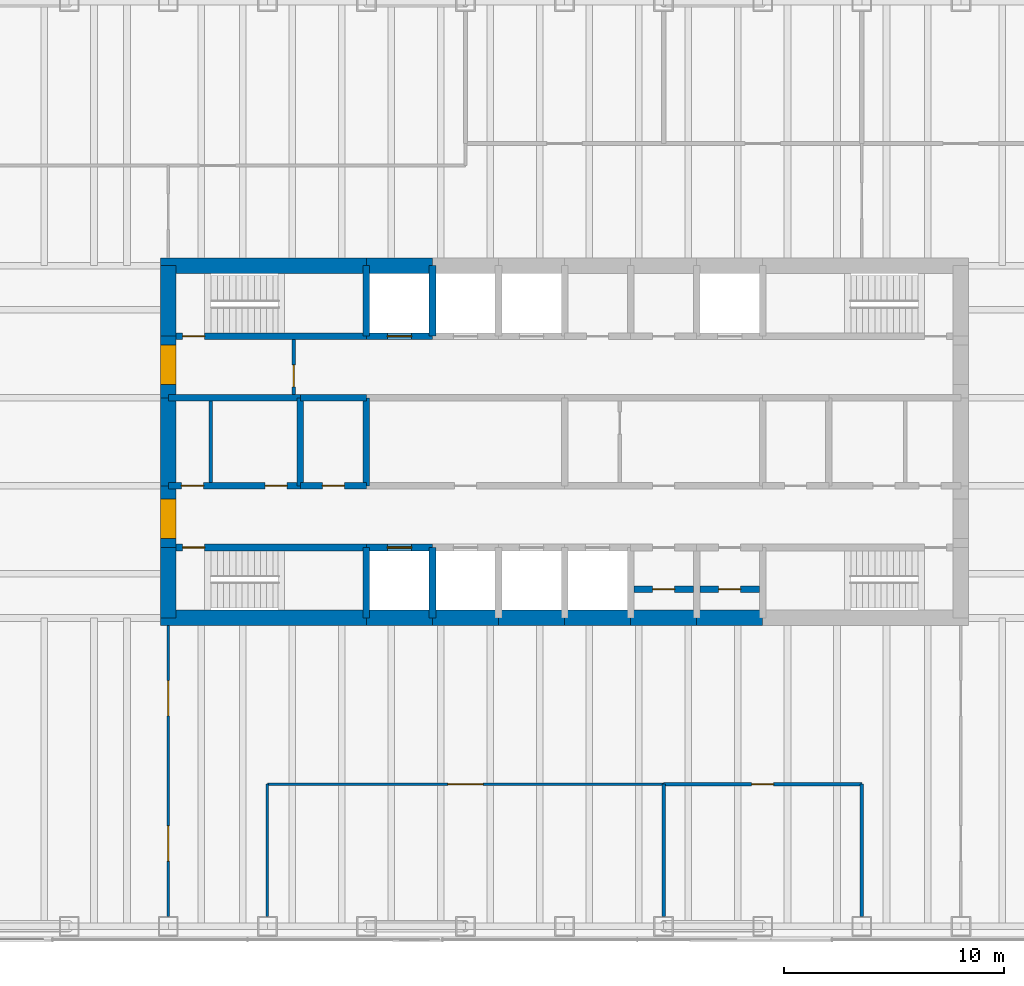
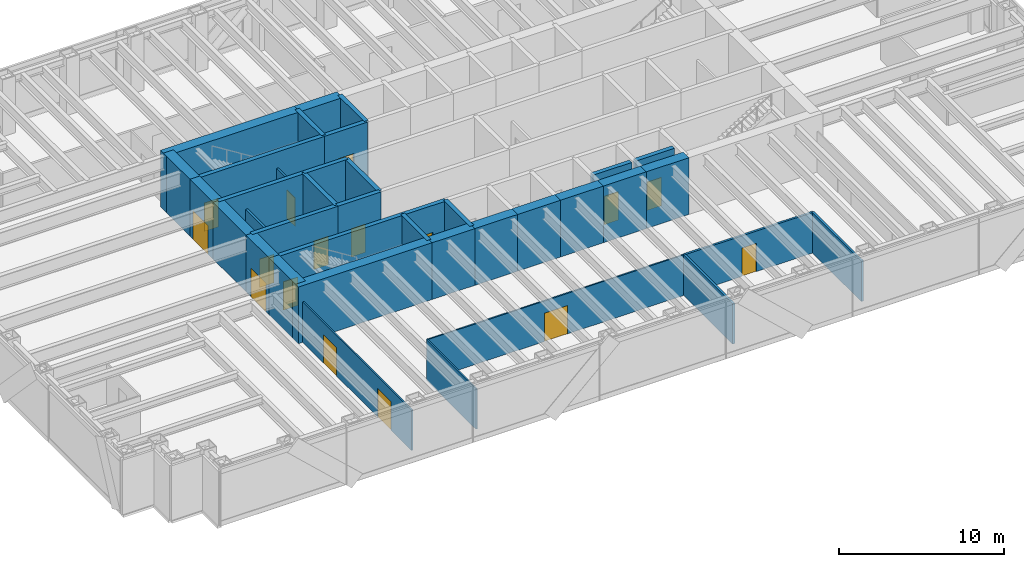
# One storey, part 11 of 15: 38 walls, 16 doors, 16 openings.
"""IFC4 building model written with IfcOpenShell, lengths in metres."""

from ifc_helpers import new_model, si_unit, direction, frame, frame_2d, origin, place, context, subcontext, project, spatial, rectangle, extrude, material, layer, layer_set, type_object, element, fill, save


model = new_model("IFC4")

# Units and contexts
model_context = context("Model", 3, precision=1e-05, world=origin(), true_north=direction((0.0, 1.0)))
body_context = subcontext(model_context, "Body", "Model", "MODEL_VIEW")
ifc_project = project(units=[si_unit("LENGTHUNIT", "METRE"), si_unit("AREAUNIT", "SQUARE_METRE"), si_unit("VOLUMEUNIT", "CUBIC_METRE"), si_unit("PLANEANGLEUNIT", "RADIAN"), si_unit("MASSUNIT", "GRAM", prefix="KILO")], contexts=[model_context])

# Site, building, storey
site_placement = place(None, origin())
site = spatial("IfcSite", under=ifc_project, at=site_placement, CompositionType="ELEMENT")
building_placement = place(site_placement, origin())
building = spatial("IfcBuilding", under=site, at=building_placement, Name="Rheinbord Bourse Tower", CompositionType="ELEMENT")
storey_placement = place(building_placement, frame((0.0, 0.0, 296.300048828125)))
storey = spatial("IfcBuildingStorey", under=building, at=storey_placement, Name="L67", CompositionType="ELEMENT", Elevation=296.300048828125)

# Wall, opening, door
ifc_material_1 = material(Name="Concrete C50/60", Category="concrete")
ifc_layer_1 = layer(ifc_material_1, 0.300048828125)
ifc_layer_set_1 = layer_set([ifc_layer_1], Name="CORE INNER WALL 300")
wall_type_1 = type_object("IfcWallType", Name="CORE INNER WALL 300", PredefinedType="SOLIDWALL", material=ifc_layer_set_1)
wall_1_placement = place(storey_placement, frame((18.0, 19.199951171875, 0.0), z_axis=(0.0, 0.0, 1.0), x_axis=(1.0, 0.0, 0.0)))
wall_1 = element("IfcWall", 1, at=wall_1_placement, inside=storey, type_object=wall_type_1, Name="Core wall A1 L67", PredefinedType="SOLIDWALL", context=body_context, shape_type="SweptSolid", body=[
    extrude(rectangle(XDim=9.0, YDim=0.300048828125, at=frame_2d((4.5, 0.0))), origin(), (0.0, 0.0, 1.0), 4.199951171875),
])
opening_1_placement = place(wall_1_placement, frame((0.64990234375, 0.0, 0.0)))
opening_1 = element("IfcOpeningElement", 2, at=opening_1_placement, cuts=wall_1, Name="Opening 6710", PredefinedType="OPENING", context=body_context, shape_type="SweptSolid", body=[
    extrude(rectangle(XDim=1.0, YDim=2.10009765625, at=frame_2d((0.5, 1.050048828125))), frame((0.0, 0.159912109375, 0.0), z_axis=(0.0, -1.0, 0.0), x_axis=(1.0, 0.0, 0.0)), (0.0, 0.0, 1.0), 0.320068359375),
])
ifc_material_2 = material(Name="Steel door", Category="steel")
door_type_1 = type_object("IfcDoorType", Name="DOOR 1000 EI30", OperationType="SINGLE_SWING_LEFT", PredefinedType="DOOR", material=ifc_material_2)
door_1_placement = place(opening_1_placement, origin())
door_1 = element("IfcDoor", 3, at=door_1_placement, inside=storey, type_object=door_type_1, Name="Stair door ST1 L67", OperationType="SINGLE_SWING_LEFT", OverallHeight=2.10009765625, OverallWidth=1.0, PredefinedType="DOOR", context=body_context, shape_type="SweptSolid", body=[
    extrude(rectangle(XDim=1.0, YDim=2.10009765625, at=frame_2d((0.5, 1.050048828125))), frame((0.0, 0.02490234375, 0.0), z_axis=(0.0, -1.0, 0.0), x_axis=(1.0, 0.0, 0.0)), (0.0, 0.0, 1.0), 0.050048828125),
])
fill(opening_1, door_1)

wall_2_placement = place(storey_placement, frame((27.0, 19.199951171875, 0.0), z_axis=(0.0, 0.0, 1.0), x_axis=(1.0, 0.0, 0.0)))
wall_2 = element("IfcWall", 4, at=wall_2_placement, inside=storey, type_object=wall_type_1, Name="Core wall A2 L67", PredefinedType="SOLIDWALL", context=body_context, shape_type="SweptSolid", body=[
    extrude(rectangle(XDim=3.0, YDim=0.300048828125, at=frame_2d((1.5, 0.0))), origin(), (0.0, 0.0, 1.0), 4.199951171875),
])
opening_2_placement = place(wall_2_placement, frame((0.949951171875, 0.0, 0.0)))
opening_2 = element("IfcOpeningElement", 5, at=opening_2_placement, cuts=wall_2, Name="Opening FL1", PredefinedType="OPENING", context=body_context, shape_type="SweptSolid", body=[
    extrude(rectangle(XDim=1.10009765625, YDim=2.199951171875, at=frame_2d((0.550048828125, 1.10009765625))), frame((0.0, 0.159912109375, 0.0), z_axis=(0.0, -1.0, 0.0), x_axis=(1.0, 0.0, 0.0)), (0.0, 0.0, 1.0), 0.320068359375),
])
ifc_material_3 = material(Name="Steel landing door", Category="steel")
door_type_2 = type_object("IfcDoorType", Name="LIFT LANDING DOOR 1100", OperationType="DOUBLE_DOOR_SLIDING", PredefinedType="USERDEFINED", material=ifc_material_3)
door_2_placement = place(opening_2_placement, origin())
door_2 = element("IfcDoor", 6, at=door_2_placement, inside=storey, type_object=door_type_2, Name="Lift landing door FL1 L67", ObjectType="LIFT LANDING DOOR", OperationType="DOUBLE_DOOR_SLIDING", OverallHeight=2.199951171875, OverallWidth=1.10009765625, PredefinedType="USERDEFINED", context=body_context, shape_type="SweptSolid", body=[
    extrude(rectangle(XDim=1.10009765625, YDim=2.199951171875, at=frame_2d((0.550048828125, 1.10009765625))), frame((0.0, 0.02490234375, 0.0), z_axis=(0.0, -1.0, 0.0), x_axis=(1.0, 0.0, 0.0)), (0.0, 0.0, 1.0), 0.050048828125),
])
fill(opening_2, door_2)

wall_3_placement = place(storey_placement, frame((18.0, 28.800048828125, 0.0), z_axis=(0.0, 0.0, 1.0), x_axis=(1.0, 0.0, 0.0)))
wall_3 = element("IfcWall", 7, at=wall_3_placement, inside=storey, type_object=wall_type_1, Name="Core wall B1 L67", PredefinedType="SOLIDWALL", context=body_context, shape_type="SweptSolid", body=[
    extrude(rectangle(XDim=9.0, YDim=0.300048828125, at=frame_2d((4.5, 0.0))), origin(), (0.0, 0.0, 1.0), 4.199951171875),
])
opening_3_placement = place(wall_3_placement, frame((0.64990234375, 0.0, 0.0)))
opening_3 = element("IfcOpeningElement", 8, at=opening_3_placement, cuts=wall_3, Name="Opening 6720", PredefinedType="OPENING", context=body_context, shape_type="SweptSolid", body=[
    extrude(rectangle(XDim=1.0, YDim=2.10009765625, at=frame_2d((0.5, 1.050048828125))), frame((0.0, 0.159912109375, 0.0), z_axis=(0.0, -1.0, 0.0), x_axis=(1.0, 0.0, 0.0)), (0.0, 0.0, 1.0), 0.320068359375),
])
door_3_placement = place(opening_3_placement, origin())
door_3 = element("IfcDoor", 9, at=door_3_placement, inside=storey, type_object=door_type_1, Name="Stair door ST2 L67", OperationType="SINGLE_SWING_LEFT", OverallHeight=2.10009765625, OverallWidth=1.0, PredefinedType="DOOR", context=body_context, shape_type="SweptSolid", body=[
    extrude(rectangle(XDim=1.0, YDim=2.10009765625, at=frame_2d((0.5, 1.050048828125))), frame((0.0, 0.02490234375, 0.0), z_axis=(0.0, -1.0, 0.0), x_axis=(1.0, 0.0, 0.0)), (0.0, 0.0, 1.0), 0.050048828125),
])
fill(opening_3, door_3)

wall_4_placement = place(storey_placement, frame((27.0, 28.800048828125, 0.0), z_axis=(0.0, 0.0, 1.0), x_axis=(1.0, 0.0, 0.0)))
wall_4 = element("IfcWall", 10, at=wall_4_placement, inside=storey, type_object=wall_type_1, Name="Core wall B2 L67", PredefinedType="SOLIDWALL", context=body_context, shape_type="SweptSolid", body=[
    extrude(rectangle(XDim=3.0, YDim=0.300048828125, at=frame_2d((1.5, 0.0))), origin(), (0.0, 0.0, 1.0), 4.199951171875),
])
opening_4_placement = place(wall_4_placement, frame((0.949951171875, 0.0, 0.0)))
opening_4 = element("IfcOpeningElement", 11, at=opening_4_placement, cuts=wall_4, Name="Opening GL1", PredefinedType="OPENING", context=body_context, shape_type="SweptSolid", body=[
    extrude(rectangle(XDim=1.10009765625, YDim=2.199951171875, at=frame_2d((0.550048828125, 1.10009765625))), frame((0.0, 0.159912109375, 0.0), z_axis=(0.0, -1.0, 0.0), x_axis=(1.0, 0.0, 0.0)), (0.0, 0.0, 1.0), 0.320068359375),
])
door_4_placement = place(opening_4_placement, origin())
door_4 = element("IfcDoor", 12, at=door_4_placement, inside=storey, type_object=door_type_2, Name="Lift landing door GL1 L67", ObjectType="LIFT LANDING DOOR", OperationType="DOUBLE_DOOR_SLIDING", OverallHeight=2.199951171875, OverallWidth=1.10009765625, PredefinedType="USERDEFINED", context=body_context, shape_type="SweptSolid", body=[
    extrude(rectangle(XDim=1.10009765625, YDim=2.199951171875, at=frame_2d((0.550048828125, 1.10009765625))), frame((0.0, 0.02490234375, 0.0), z_axis=(0.0, -1.0, 0.0), x_axis=(1.0, 0.0, 0.0)), (0.0, 0.0, 1.0), 0.050048828125),
])
fill(opening_4, door_4)

# Wall, openings, doors
wall_5_placement = place(storey_placement, frame((18.0, 22.0, 0.0), z_axis=(0.0, 0.0, 1.0), x_axis=(1.0, 0.0, 0.0)))
wall_5 = element("IfcWall", 13, at=wall_5_placement, inside=storey, type_object=wall_type_1, Name="Core wall C1 L67", PredefinedType="SOLIDWALL", context=body_context, shape_type="SweptSolid", body=[
    extrude(rectangle(XDim=6.0, YDim=0.300048828125, at=frame_2d((3.0, 0.0))), origin(), (0.0, 0.0, 1.0), 4.199951171875),
])
opening_5_placement = place(wall_5_placement, frame((4.39990234375, 0.0, 0.0)))
opening_5 = element("IfcOpeningElement", 14, at=opening_5_placement, cuts=wall_5, Name="Opening 67R1", PredefinedType="OPENING", context=body_context, shape_type="SweptSolid", body=[
    extrude(rectangle(XDim=1.0, YDim=2.10009765625, at=frame_2d((0.5, 1.050048828125))), frame((0.0, 0.159912109375, 0.0), z_axis=(0.0, -1.0, 0.0), x_axis=(1.0, 0.0, 0.0)), (0.0, 0.0, 1.0), 0.320068359375),
])
opening_6_placement = place(wall_5_placement, frame((0.60009765625, 0.0, 0.0)))
opening_6 = element("IfcOpeningElement", 15, at=opening_6_placement, cuts=wall_5, Name="Opening 67R9", PredefinedType="OPENING", context=body_context, shape_type="SweptSolid", body=[
    extrude(rectangle(XDim=1.0, YDim=2.10009765625, at=frame_2d((0.5, 1.050048828125))), frame((0.0, 0.159912109375, 0.0), z_axis=(0.0, -1.0, 0.0), x_axis=(1.0, 0.0, 0.0)), (0.0, 0.0, 1.0), 0.320068359375),
])
door_5_placement = place(opening_6_placement, origin())
door_5 = element("IfcDoor", 16, at=door_5_placement, inside=storey, type_object=door_type_1, Name="Staff shower door L67", OperationType="SINGLE_SWING_LEFT", OverallHeight=2.10009765625, OverallWidth=1.0, PredefinedType="DOOR", context=body_context, shape_type="SweptSolid", body=[
    extrude(rectangle(XDim=1.0, YDim=2.10009765625, at=frame_2d((0.5, 1.050048828125))), frame((0.0, 0.02490234375, 0.0), z_axis=(0.0, -1.0, 0.0), x_axis=(1.0, 0.0, 0.0)), (0.0, 0.0, 1.0), 0.050048828125),
])
fill(opening_6, door_5)
ifc_material_4 = material(Name="Timber door", Category="wood")
door_type_3 = type_object("IfcDoorType", Name="DOOR 1000 WC", OperationType="SINGLE_SWING_LEFT", PredefinedType="DOOR", material=ifc_material_4)
door_6_placement = place(opening_5_placement, origin())
door_6 = element("IfcDoor", 17, at=door_6_placement, inside=storey, type_object=door_type_3, Name="WC men door L67", OperationType="SINGLE_SWING_RIGHT", OverallHeight=2.10009765625, OverallWidth=1.0, PredefinedType="DOOR", context=body_context, shape_type="SweptSolid", body=[
    extrude(rectangle(XDim=1.0, YDim=2.10009765625, at=frame_2d((0.5, 1.050048828125))), frame((0.0, 0.02490234375, 0.0), z_axis=(0.0, -1.0, 0.0), x_axis=(1.0, 0.0, 0.0)), (0.0, 0.0, 1.0), 0.050048828125),
])
fill(opening_5, door_6)

# Wall, opening, door
wall_6_placement = place(storey_placement, frame((24.0, 22.0, 0.0), z_axis=(0.0, 0.0, 1.0), x_axis=(1.0, 0.0, 0.0)))
wall_6 = element("IfcWall", 18, at=wall_6_placement, inside=storey, type_object=wall_type_1, Name="Core wall C2 L67", PredefinedType="SOLIDWALL", context=body_context, shape_type="SweptSolid", body=[
    extrude(rectangle(XDim=3.0, YDim=0.300048828125, at=frame_2d((1.5, 0.0))), origin(), (0.0, 0.0, 1.0), 4.199951171875),
])
opening_7_placement = place(wall_6_placement, frame((1.0, 0.0, 0.0)))
opening_7 = element("IfcOpeningElement", 19, at=opening_7_placement, cuts=wall_6, Name="Opening 67R2", PredefinedType="OPENING", context=body_context, shape_type="SweptSolid", body=[
    extrude(rectangle(XDim=1.0, YDim=2.10009765625, at=frame_2d((0.5, 1.050048828125))), frame((0.0, 0.159912109375, 0.0), z_axis=(0.0, -1.0, 0.0), x_axis=(1.0, 0.0, 0.0)), (0.0, 0.0, 1.0), 0.320068359375),
])
door_7_placement = place(opening_7_placement, origin())
door_7 = element("IfcDoor", 20, at=door_7_placement, inside=storey, type_object=door_type_3, Name="Accessible WC door L67", OperationType="SINGLE_SWING_LEFT", OverallHeight=2.10009765625, OverallWidth=1.0, PredefinedType="DOOR", context=body_context, shape_type="SweptSolid", body=[
    extrude(rectangle(XDim=1.0, YDim=2.10009765625, at=frame_2d((0.5, 1.050048828125))), frame((0.0, 0.02490234375, 0.0), z_axis=(0.0, -1.0, 0.0), x_axis=(1.0, 0.0, 0.0)), (0.0, 0.0, 1.0), 0.050048828125),
])
fill(opening_7, door_7)

# Walls
wall_7_placement = place(storey_placement, frame((18.0, 26.0, 0.0), z_axis=(0.0, 0.0, 1.0), x_axis=(1.0, 0.0, 0.0)))
element("IfcWall", 21, at=wall_7_placement, inside=storey, type_object=wall_type_1, Name="Core wall D1 L67", PredefinedType="SOLIDWALL", context=body_context, shape_type="SweptSolid", body=[
    extrude(rectangle(XDim=6.0, YDim=0.300048828125, at=frame_2d((3.0, 0.0))), origin(), (0.0, 0.0, 1.0), 4.199951171875),
])
wall_8_placement = place(storey_placement, frame((24.0, 26.0, 0.0), z_axis=(0.0, 0.0, 1.0), x_axis=(1.0, 0.0, 0.0)))
element("IfcWall", 22, at=wall_8_placement, inside=storey, type_object=wall_type_1, Name="Core wall D2 L67", PredefinedType="SOLIDWALL", context=body_context, shape_type="SweptSolid", body=[
    extrude(rectangle(XDim=3.0, YDim=0.300048828125, at=frame_2d((1.5, 0.0))), origin(), (0.0, 0.0, 1.0), 4.199951171875),
])
for number, where, z_axis, x_axis, name in (
    (23, (27.0, 16.0, 0.0), (0.0, 0.0, 1.0), (0.0, 1.0, 0.0), "Core wall SX27 L67"),
    (24, (27.0, 28.800048828125, 0.0), (0.0, 0.0, 1.0), (0.0, 1.0, 0.0), "Core wall NX27 L67"),
    (25, (30.0, 16.0, 0.0), (0.0, 0.0, 1.0), (0.0, 1.0, 0.0), "Core wall SX30 L67"),
    (26, (30.0, 28.800048828125, 0.0), (0.0, 0.0, 1.0), (0.0, 1.0, 0.0), "Core wall NX30 L67"),
):
    element("IfcWall", number, at=place(storey_placement, frame(where, z_axis=z_axis, x_axis=x_axis)), inside=storey, type_object=wall_type_1, Name=name, PredefinedType="SOLIDWALL", context=body_context, shape_type="SweptSolid", body=[
        extrude(rectangle(XDim=3.199951171875, YDim=0.300048828125, at=frame_2d((1.60009765625, 0.0))), origin(), (0.0, 0.0, 1.0), 4.199951171875),
    ])
for number, where, z_axis, x_axis, name in (
    (27, (24.0, 22.0, 0.0), (0.0, 0.0, 1.0), (0.0, 1.0, 0.0), "Core wall MX24 L67"),
    (28, (27.0, 22.0, 0.0), (0.0, 0.0, 1.0), (0.0, 1.0, 0.0), "Core wall MX27 L67"),
):
    element("IfcWall", number, at=place(storey_placement, frame(where, z_axis=z_axis, x_axis=x_axis)), inside=storey, type_object=wall_type_1, Name=name, PredefinedType="SOLIDWALL", context=body_context, shape_type="SweptSolid", body=[
        extrude(rectangle(XDim=4.0, YDim=0.300048828125, at=frame_2d((2.0, 0.0))), origin(), (0.0, 0.0, 1.0), 4.199951171875),
    ])

# Wall, opening, door
wall_9_placement = place(storey_placement, frame((39.14990234375, 17.300048828125, 0.0), z_axis=(0.0, 0.0, 1.0), x_axis=(1.0, 0.0, 0.0)))
wall_9 = element("IfcWall", 29, at=wall_9_placement, inside=storey, type_object=wall_type_1, Name="Core riser wall L67-6", PredefinedType="SOLIDWALL", context=body_context, shape_type="SweptSolid", body=[
    extrude(rectangle(XDim=2.7001953125, YDim=0.300048828125, at=frame_2d((1.35009765625, 0.0))), origin(), (0.0, 0.0, 1.0), 4.0400390625),
])
opening_8_placement = place(wall_9_placement, frame((0.85009765625, 0.0, 0.0)))
opening_8 = element("IfcOpeningElement", 30, at=opening_8_placement, cuts=wall_9, Name="Opening 67R12", PredefinedType="OPENING", context=body_context, shape_type="SweptSolid", body=[
    extrude(rectangle(XDim=1.0, YDim=2.10009765625, at=frame_2d((0.5, 1.050048828125))), frame((0.0, 0.159912109375, 0.0), z_axis=(0.0, -1.0, 0.0), x_axis=(1.0, 0.0, 0.0)), (0.0, 0.0, 1.0), 0.320068359375),
])
door_8_placement = place(opening_8_placement, origin())
door_8 = element("IfcDoor", 31, at=door_8_placement, inside=storey, type_object=door_type_1, Name="Comms riser door L67", OperationType="SINGLE_SWING_LEFT", OverallHeight=2.10009765625, OverallWidth=1.0, PredefinedType="DOOR", context=body_context, shape_type="SweptSolid", body=[
    extrude(rectangle(XDim=1.0, YDim=2.10009765625, at=frame_2d((0.5, 1.050048828125))), frame((0.0, 0.02490234375, 0.0), z_axis=(0.0, -1.0, 0.0), x_axis=(1.0, 0.0, 0.0)), (0.0, 0.0, 1.0), 0.050048828125),
])
fill(opening_8, door_8)

wall_10_placement = place(storey_placement, frame((42.14990234375, 17.300048828125, 0.0), z_axis=(0.0, 0.0, 1.0), x_axis=(1.0, 0.0, 0.0)))
wall_10 = element("IfcWall", 32, at=wall_10_placement, inside=storey, type_object=wall_type_1, Name="Core riser wall L67-7", PredefinedType="SOLIDWALL", context=body_context, shape_type="SweptSolid", body=[
    extrude(rectangle(XDim=2.7001953125, YDim=0.300048828125, at=frame_2d((1.35009765625, 0.0))), origin(), (0.0, 0.0, 1.0), 4.0400390625),
])
opening_9_placement = place(wall_10_placement, frame((0.85009765625, 0.0, 0.0)))
opening_9 = element("IfcOpeningElement", 33, at=opening_9_placement, cuts=wall_10, Name="Opening 67R13", PredefinedType="OPENING", context=body_context, shape_type="SweptSolid", body=[
    extrude(rectangle(XDim=1.0, YDim=2.10009765625, at=frame_2d((0.5, 1.050048828125))), frame((0.0, 0.159912109375, 0.0), z_axis=(0.0, -1.0, 0.0), x_axis=(1.0, 0.0, 0.0)), (0.0, 0.0, 1.0), 0.320068359375),
])
door_9_placement = place(opening_9_placement, origin())
door_9 = element("IfcDoor", 34, at=door_9_placement, inside=storey, type_object=door_type_1, Name="Electrical riser door L67", OperationType="SINGLE_SWING_LEFT", OverallHeight=2.10009765625, OverallWidth=1.0, PredefinedType="DOOR", context=body_context, shape_type="SweptSolid", body=[
    extrude(rectangle(XDim=1.0, YDim=2.10009765625, at=frame_2d((0.5, 1.050048828125))), frame((0.0, 0.02490234375, 0.0), z_axis=(0.0, -1.0, 0.0), x_axis=(1.0, 0.0, 0.0)), (0.0, 0.0, 1.0), 0.050048828125),
])
fill(opening_9, door_9)

# Wall
ifc_material_5 = material(Name="Gypsum board fire partition", Category="gypsum board")
ifc_layer_2 = layer(ifc_material_5, 0.14990234375)
ifc_layer_set_2 = layer_set([ifc_layer_2], Name="CORE PARTITION 150 EI30")
wall_type_2 = type_object("IfcWallType", Name="CORE PARTITION 150 EI30", PredefinedType="PARTITIONING", material=ifc_layer_set_2)
wall_11_placement = place(storey_placement, frame((19.925048828125, 22.14990234375, 0.0), z_axis=(0.0, 0.0, 1.0), x_axis=(0.0, 1.0, 0.0)))
element("IfcWall", 35, at=wall_11_placement, inside=storey, type_object=wall_type_2, Name="Core partition L67-2", PredefinedType="PARTITIONING", context=body_context, shape_type="SweptSolid", body=[
    extrude(rectangle(XDim=3.7001953125, YDim=0.14990234375, at=frame_2d((1.85009765625, 0.0))), origin(), (0.0, 0.0, 1.0), 3.0),
])

# Wall, opening, door
wall_12_placement = place(storey_placement, frame((23.699951171875, 26.14990234375, 0.0), z_axis=(0.0, 0.0, 1.0), x_axis=(0.0, 1.0, 0.0)))
wall_12 = element("IfcWall", 36, at=wall_12_placement, inside=storey, type_object=wall_type_2, Name="Core partition L67-5", PredefinedType="PARTITIONING", context=body_context, shape_type="SweptSolid", body=[
    extrude(rectangle(XDim=2.5, YDim=0.14990234375, at=frame_2d((1.25, 0.0))), origin(), (0.0, 0.0, 1.0), 3.0),
])
opening_10_placement = place(wall_12_placement, frame((0.35009765625, 0.0, 0.0)))
opening_10 = element("IfcOpeningElement", 37, at=opening_10_placement, cuts=wall_12, Name="Opening 67L6", PredefinedType="OPENING", context=body_context, shape_type="SweptSolid", body=[
    extrude(rectangle(XDim=1.0, YDim=2.10009765625, at=frame_2d((0.5, 1.050048828125))), frame((0.0, 0.0849609375, 0.0), z_axis=(0.0, -1.0, 0.0), x_axis=(1.0, 0.0, 0.0)), (0.0, 0.0, 1.0), 0.169921875),
])
door_10_placement = place(opening_10_placement, origin())
door_10 = element("IfcDoor", 38, at=door_10_placement, inside=storey, type_object=door_type_1, Name="Stair lobby door L67", OperationType="SINGLE_SWING_LEFT", OverallHeight=2.10009765625, OverallWidth=1.0, PredefinedType="DOOR", context=body_context, shape_type="SweptSolid", body=[
    extrude(rectangle(XDim=1.0, YDim=2.10009765625, at=frame_2d((0.5, 1.050048828125))), frame((0.0, 0.02490234375, 0.0), z_axis=(0.0, -1.0, 0.0), x_axis=(1.0, 0.0, 0.0)), (0.0, 0.0, 1.0), 0.050048828125),
])
fill(opening_10, door_10)

# Walls
ifc_material_6 = material(Name="Concrete C50/60", Category="concrete")
ifc_layer_3 = layer(ifc_material_6, 0.699951171875)
ifc_layer_set_3 = layer_set([ifc_layer_3], Name="CORE WALL 700")
wall_type_3 = type_object("IfcWallType", Name="CORE WALL 700", PredefinedType="SHEAR", material=ifc_layer_set_3)
wall_13_placement = place(storey_placement, frame((17.64990234375, 16.0, 0.0), z_axis=(0.0, 0.0, 1.0), x_axis=(1.0, 0.0, 0.0)))
element("IfcWall", 39, at=wall_13_placement, inside=storey, type_object=wall_type_3, Name="Core wall S1 L67", PredefinedType="SHEAR", context=body_context, shape_type="SweptSolid", body=[
    extrude(rectangle(XDim=9.35009765625, YDim=0.699951171875, at=frame_2d((4.675048828125, 0.0))), origin(), (0.0, 0.0, 1.0), 4.199951171875),
])
for number, where, z_axis, x_axis, name in (
    (40, (27.0, 16.0, 0.0), (0.0, 0.0, 1.0), (1.0, 0.0, 0.0), "Core wall S2 L67"),
    (41, (30.0, 16.0, 0.0), (0.0, 0.0, 1.0), (1.0, 0.0, 0.0), "Core wall S3 L67"),
    (42, (33.0, 16.0, 0.0), (0.0, 0.0, 1.0), (1.0, 0.0, 0.0), "Core wall S4 L67"),
    (43, (36.0, 16.0, 0.0), (0.0, 0.0, 1.0), (1.0, 0.0, 0.0), "Core wall S5 L67"),
    (44, (39.0, 16.0, 0.0), (0.0, 0.0, 1.0), (1.0, 0.0, 0.0), "Core wall S6 L67"),
    (45, (42.0, 16.0, 0.0), (0.0, 0.0, 1.0), (1.0, 0.0, 0.0), "Core wall S7 L67"),
    (46, (30.0, 32.0, 0.0), (0.0, 0.0, 1.0), (-1.0, 0.0, 0.0), "Core wall N7 L67"),
):
    element("IfcWall", number, at=place(storey_placement, frame(where, z_axis=z_axis, x_axis=x_axis)), inside=storey, type_object=wall_type_3, Name=name, PredefinedType="SHEAR", context=body_context, shape_type="SweptSolid", body=[
        extrude(rectangle(XDim=3.0, YDim=0.699951171875, at=frame_2d((1.5, 0.0))), origin(), (0.0, 0.0, 1.0), 4.199951171875),
    ])
wall_14_placement = place(storey_placement, frame((27.0, 32.0, 0.0), z_axis=(0.0, 0.0, 1.0), x_axis=(-1.0, 0.0, 0.0)))
element("IfcWall", 47, at=wall_14_placement, inside=storey, type_object=wall_type_3, Name="Core wall N8 L67", PredefinedType="SHEAR", context=body_context, shape_type="SweptSolid", body=[
    extrude(rectangle(XDim=9.35009765625, YDim=0.699951171875, at=frame_2d((4.675048828125, 0.0))), origin(), (0.0, 0.0, 1.0), 4.199951171875),
])
wall_15_placement = place(storey_placement, frame((18.0, 32.0, 0.0), z_axis=(0.0, 0.0, 1.0), x_axis=(0.0, -1.0, 0.0)))
element("IfcWall", 48, at=wall_15_placement, inside=storey, type_object=wall_type_3, Name="Core wall W1 L67", PredefinedType="SHEAR", context=body_context, shape_type="SweptSolid", body=[
    extrude(rectangle(XDim=3.199951171875, YDim=0.699951171875, at=frame_2d((1.60009765625, 0.0))), origin(), (0.0, 0.0, 1.0), 4.199951171875),
])

# Wall, opening, door
wall_16_placement = place(storey_placement, frame((18.0, 28.800048828125, 0.0), z_axis=(0.0, 0.0, 1.0), x_axis=(0.0, -1.0, 0.0)))
wall_16 = element("IfcWall", 49, at=wall_16_placement, inside=storey, type_object=wall_type_3, Name="Core wall W2 L67", PredefinedType="SHEAR", context=body_context, shape_type="SweptSolid", body=[
    extrude(rectangle(XDim=2.800048828125, YDim=0.699951171875, at=frame_2d((1.39990234375, 0.0))), origin(), (0.0, 0.0, 1.0), 4.199951171875),
])
opening_11_placement = place(wall_16_placement, frame((0.39990234375, 0.0, 0.0)))
opening_11 = element("IfcOpeningElement", 50, at=opening_11_placement, cuts=wall_16, Name="Opening 67L2", PredefinedType="OPENING", context=body_context, shape_type="SweptSolid", body=[
    extrude(rectangle(XDim=1.800048828125, YDim=2.10009765625, at=frame_2d((0.89990234375, 1.050048828125))), frame((0.0, 0.35986328125, 0.0), z_axis=(0.0, -1.0, 0.0), x_axis=(1.0, 0.0, 0.0)), (0.0, 0.0, 1.0), 0.719970703125),
])
ifc_material_7 = material(Name="Steel door", Category="steel")
door_type_4 = type_object("IfcDoorType", Name="DOOR 1800 EI30 DOUBLE", OperationType="DOUBLE_DOOR_DOUBLE_SWING", PredefinedType="DOOR", material=ifc_material_7)
door_11_placement = place(opening_11_placement, origin())
door_11 = element("IfcDoor", 51, at=door_11_placement, inside=storey, type_object=door_type_4, Name="Lobby door 2 L67", OperationType="SINGLE_SWING_LEFT", OverallHeight=2.10009765625, OverallWidth=1.800048828125, PredefinedType="DOOR", context=body_context, shape_type="SweptSolid", body=[
    extrude(rectangle(XDim=1.800048828125, YDim=2.10009765625, at=frame_2d((0.89990234375, 1.050048828125))), frame((0.0, 0.349609375, 0.0), z_axis=(0.0, -1.0, 0.0), x_axis=(1.0, 0.0, 0.0)), (0.0, 0.0, 1.0), 0.699462890625),
])
fill(opening_11, door_11)

# Wall
wall_17_placement = place(storey_placement, frame((18.0, 26.0, 0.0), z_axis=(0.0, 0.0, 1.0), x_axis=(0.0, -1.0, 0.0)))
element("IfcWall", 52, at=wall_17_placement, inside=storey, type_object=wall_type_3, Name="Core wall W3 L67", PredefinedType="SHEAR", context=body_context, shape_type="SweptSolid", body=[
    extrude(rectangle(XDim=4.0, YDim=0.699951171875, at=frame_2d((2.0, 0.0))), origin(), (0.0, 0.0, 1.0), 4.199951171875),
])

# Wall, opening, door
wall_18_placement = place(storey_placement, frame((18.0, 22.0, 0.0), z_axis=(0.0, 0.0, 1.0), x_axis=(0.0, -1.0, 0.0)))
wall_18 = element("IfcWall", 53, at=wall_18_placement, inside=storey, type_object=wall_type_3, Name="Core wall W4 L67", PredefinedType="SHEAR", context=body_context, shape_type="SweptSolid", body=[
    extrude(rectangle(XDim=2.800048828125, YDim=0.699951171875, at=frame_2d((1.39990234375, 0.0))), origin(), (0.0, 0.0, 1.0), 4.199951171875),
])
opening_12_placement = place(wall_18_placement, frame((0.60009765625, 0.0, 0.0)))
opening_12 = element("IfcOpeningElement", 54, at=opening_12_placement, cuts=wall_18, Name="Opening 67L1", PredefinedType="OPENING", context=body_context, shape_type="SweptSolid", body=[
    extrude(rectangle(XDim=1.800048828125, YDim=2.10009765625, at=frame_2d((0.89990234375, 1.050048828125))), frame((0.0, 0.35986328125, 0.0), z_axis=(0.0, -1.0, 0.0), x_axis=(1.0, 0.0, 0.0)), (0.0, 0.0, 1.0), 0.719970703125),
])
door_12_placement = place(opening_12_placement, origin())
door_12 = element("IfcDoor", 55, at=door_12_placement, inside=storey, type_object=door_type_4, Name="Lobby door 1 L67", OperationType="SINGLE_SWING_LEFT", OverallHeight=2.10009765625, OverallWidth=1.800048828125, PredefinedType="DOOR", context=body_context, shape_type="SweptSolid", body=[
    extrude(rectangle(XDim=1.800048828125, YDim=2.10009765625, at=frame_2d((0.89990234375, 1.050048828125))), frame((0.0, 0.349609375, 0.0), z_axis=(0.0, -1.0, 0.0), x_axis=(1.0, 0.0, 0.0)), (0.0, 0.0, 1.0), 0.699462890625),
])
fill(opening_12, door_12)

# Wall
wall_19_placement = place(storey_placement, frame((18.0, 19.199951171875, 0.0), z_axis=(0.0, 0.0, 1.0), x_axis=(0.0, -1.0, 0.0)))
element("IfcWall", 56, at=wall_19_placement, inside=storey, type_object=wall_type_3, Name="Core wall W5 L67", PredefinedType="SHEAR", context=body_context, shape_type="SweptSolid", body=[
    extrude(rectangle(XDim=3.199951171875, YDim=0.699951171875, at=frame_2d((1.60009765625, 0.0))), origin(), (0.0, 0.0, 1.0), 4.199951171875),
])

# Wall, opening, door
ifc_material_8 = material(Name="Toughened laminated glass partition", Category="glass")
ifc_layer_4 = layer(ifc_material_8, 0.10009765625)
ifc_layer_set_4 = layer_set([ifc_layer_4], Name="GLAZED PARTITION 100")
wall_type_4 = type_object("IfcWallType", Name="GLAZED PARTITION 100", PredefinedType="PARTITIONING", material=ifc_layer_set_4)
wall_20_placement = place(storey_placement, frame((22.5, 8.449951171875, 0.0), z_axis=(0.0, 0.0, 1.0), x_axis=(1.0, 0.0, 0.0)))
wall_20 = element("IfcWall", 57, at=wall_20_placement, inside=storey, type_object=wall_type_4, Name="Partition L67-01", PredefinedType="PARTITIONING", context=body_context, shape_type="SweptSolid", body=[
    extrude(rectangle(XDim=18.0, YDim=0.10009765625, at=frame_2d((9.0, 0.0))), origin(), (0.0, 0.0, 1.0), 3.0),
])
opening_13_placement = place(wall_20_placement, frame((8.199951171875, 0.0, 0.0)))
opening_13 = element("IfcOpeningElement", 58, at=opening_13_placement, cuts=wall_20, Name="Opening 67D01", PredefinedType="OPENING", context=body_context, shape_type="SweptSolid", body=[
    extrude(rectangle(XDim=1.60009765625, YDim=2.10009765625, at=frame_2d((0.800048828125, 1.050048828125))), frame((0.0, 0.06005859375, 0.0), z_axis=(0.0, -1.0, 0.0), x_axis=(1.0, 0.0, 0.0)), (0.0, 0.0, 1.0), 0.1201171875),
])
ifc_material_9 = material(Name="Timber door", Category="wood")
door_type_5 = type_object("IfcDoorType", Name="DOUBLE ROOM DOOR 1600", OperationType="DOUBLE_DOOR_DOUBLE_SWING", PredefinedType="DOOR", material=ifc_material_9)
door_13_placement = place(opening_13_placement, origin())
door_13 = element("IfcDoor", 59, at=door_13_placement, inside=storey, type_object=door_type_5, Name="Business centre door L67", OperationType="SINGLE_SWING_LEFT", OverallHeight=2.10009765625, OverallWidth=1.60009765625, PredefinedType="DOOR", context=body_context, shape_type="SweptSolid", body=[
    extrude(rectangle(XDim=1.60009765625, YDim=2.10009765625, at=frame_2d((0.800048828125, 1.050048828125))), frame((0.0, 0.02490234375, 0.0), z_axis=(0.0, -1.0, 0.0), x_axis=(1.0, 0.0, 0.0)), (0.0, 0.0, 1.0), 0.050048828125),
])
fill(opening_13, door_13)

# Wall, openings, doors
wall_21_placement = place(storey_placement, frame((18.0, 2.449951171875, 0.0), z_axis=(0.0, 0.0, 1.0), x_axis=(0.0, 1.0, 0.0)))
wall_21 = element("IfcWall", 60, at=wall_21_placement, inside=storey, type_object=wall_type_4, Name="Partition L67-13", PredefinedType="PARTITIONING", context=body_context, shape_type="SweptSolid", body=[
    extrude(rectangle(XDim=13.199951171875, YDim=0.10009765625, at=frame_2d((6.60009765625, 0.0))), origin(), (0.0, 0.0, 1.0), 3.0),
])
opening_14_placement = place(wall_21_placement, frame((2.5, 0.0, 0.0)))
opening_14 = element("IfcOpeningElement", 61, at=opening_14_placement, cuts=wall_21, Name="Opening 67D10", PredefinedType="OPENING", context=body_context, shape_type="SweptSolid", body=[
    extrude(rectangle(XDim=1.60009765625, YDim=2.10009765625, at=frame_2d((0.800048828125, 1.050048828125))), frame((0.0, 0.06005859375, 0.0), z_axis=(0.0, -1.0, 0.0), x_axis=(1.0, 0.0, 0.0)), (0.0, 0.0, 1.0), 0.1201171875),
])
opening_15_placement = place(wall_21_placement, frame((9.10009765625, 0.0, 0.0)))
opening_15 = element("IfcOpeningElement", 62, at=opening_15_placement, cuts=wall_21, Name="Opening 67D11", PredefinedType="OPENING", context=body_context, shape_type="SweptSolid", body=[
    extrude(rectangle(XDim=1.60009765625, YDim=2.10009765625, at=frame_2d((0.800048828125, 1.050048828125))), frame((0.0, 0.06005859375, 0.0), z_axis=(0.0, -1.0, 0.0), x_axis=(1.0, 0.0, 0.0)), (0.0, 0.0, 1.0), 0.1201171875),
])
door_14_placement = place(opening_14_placement, origin())
door_14 = element("IfcDoor", 63, at=door_14_placement, inside=storey, type_object=door_type_5, Name="Open area door L67", OperationType="SINGLE_SWING_LEFT", OverallHeight=2.10009765625, OverallWidth=1.60009765625, PredefinedType="DOOR", context=body_context, shape_type="SweptSolid", body=[
    extrude(rectangle(XDim=1.60009765625, YDim=2.10009765625, at=frame_2d((0.800048828125, 1.050048828125))), frame((0.0, 0.02490234375, 0.0), z_axis=(0.0, -1.0, 0.0), x_axis=(1.0, 0.0, 0.0)), (0.0, 0.0, 1.0), 0.050048828125),
])
fill(opening_14, door_14)
door_15_placement = place(opening_15_placement, origin())
door_15 = element("IfcDoor", 64, at=door_15_placement, inside=storey, type_object=door_type_5, Name="Open area door L67", OperationType="SINGLE_SWING_LEFT", OverallHeight=2.10009765625, OverallWidth=1.60009765625, PredefinedType="DOOR", context=body_context, shape_type="SweptSolid", body=[
    extrude(rectangle(XDim=1.60009765625, YDim=2.10009765625, at=frame_2d((0.800048828125, 1.050048828125))), frame((0.0, 0.02490234375, 0.0), z_axis=(0.0, -1.0, 0.0), x_axis=(1.0, 0.0, 0.0)), (0.0, 0.0, 1.0), 0.050048828125),
])
fill(opening_15, door_15)

# Wall
wall_22_placement = place(storey_placement, frame((22.5, 2.449951171875, 0.0), z_axis=(0.0, 0.0, 1.0), x_axis=(0.0, 1.0, 0.0)))
element("IfcWall", 65, at=wall_22_placement, inside=storey, type_object=wall_type_4, Name="Partition L67-15", PredefinedType="PARTITIONING", context=body_context, shape_type="SweptSolid", body=[
    extrude(rectangle(XDim=6.0, YDim=0.10009765625, at=frame_2d((3.0, 0.0))), origin(), (0.0, 0.0, 1.0), 3.0),
])

# Wall, opening, door
ifc_material_10 = material(Name="Gypsum board partition", Category="gypsum board")
ifc_layer_5 = layer(ifc_material_10, 0.14990234375)
ifc_layer_set_5 = layer_set([ifc_layer_5], Name="PARTITION 150")
wall_type_5 = type_object("IfcWallType", Name="PARTITION 150", PredefinedType="PARTITIONING", material=ifc_layer_set_5)
wall_23_placement = place(storey_placement, frame((40.5, 8.449951171875, 0.0), z_axis=(0.0, 0.0, 1.0), x_axis=(1.0, 0.0, 0.0)))
wall_23 = element("IfcWall", 66, at=wall_23_placement, inside=storey, type_object=wall_type_5, Name="Partition L67-02", PredefinedType="PARTITIONING", context=body_context, shape_type="SweptSolid", body=[
    extrude(rectangle(XDim=9.0, YDim=0.14990234375, at=frame_2d((4.5, 0.0))), origin(), (0.0, 0.0, 1.0), 3.0),
])
opening_16_placement = place(wall_23_placement, frame((4.0, 0.0, 0.0)))
opening_16 = element("IfcOpeningElement", 67, at=opening_16_placement, cuts=wall_23, Name="Opening 67D02", PredefinedType="OPENING", context=body_context, shape_type="SweptSolid", body=[
    extrude(rectangle(XDim=1.0, YDim=2.10009765625, at=frame_2d((0.5, 1.050048828125))), frame((0.0, 0.0849609375, 0.0), z_axis=(0.0, -1.0, 0.0), x_axis=(1.0, 0.0, 0.0)), (0.0, 0.0, 1.0), 0.169921875),
])
ifc_material_11 = material(Name="Timber door", Category="wood")
door_type_6 = type_object("IfcDoorType", Name="ROOM DOOR 1000", OperationType="SINGLE_SWING_LEFT", PredefinedType="DOOR", material=ifc_material_11)
door_16_placement = place(opening_16_placement, origin())
door_16 = element("IfcDoor", 68, at=door_16_placement, inside=storey, type_object=door_type_6, Name="Library door L67", OperationType="SINGLE_SWING_LEFT", OverallHeight=2.10009765625, OverallWidth=1.0, PredefinedType="DOOR", context=body_context, shape_type="SweptSolid", body=[
    extrude(rectangle(XDim=1.0, YDim=2.10009765625, at=frame_2d((0.5, 1.050048828125))), frame((0.0, 0.02490234375, 0.0), z_axis=(0.0, -1.0, 0.0), x_axis=(1.0, 0.0, 0.0)), (0.0, 0.0, 1.0), 0.050048828125),
])
fill(opening_16, door_16)

# Walls
for number, where, z_axis, x_axis, name in (
    (69, (40.5, 2.449951171875, 0.0), (0.0, 0.0, 1.0), (0.0, 1.0, 0.0), "Partition L67-18"),
    (70, (49.5, 2.449951171875, 0.0), (0.0, 0.0, 1.0), (0.0, 1.0, 0.0), "Partition L67-20"),
):
    element("IfcWall", number, at=place(storey_placement, frame(where, z_axis=z_axis, x_axis=x_axis)), inside=storey, type_object=wall_type_5, Name=name, PredefinedType="PARTITIONING", context=body_context, shape_type="SweptSolid", body=[
        extrude(rectangle(XDim=6.0, YDim=0.14990234375, at=frame_2d((3.0, 0.0))), origin(), (0.0, 0.0, 1.0), 3.0),
    ])

save(model, "model.ifc")
